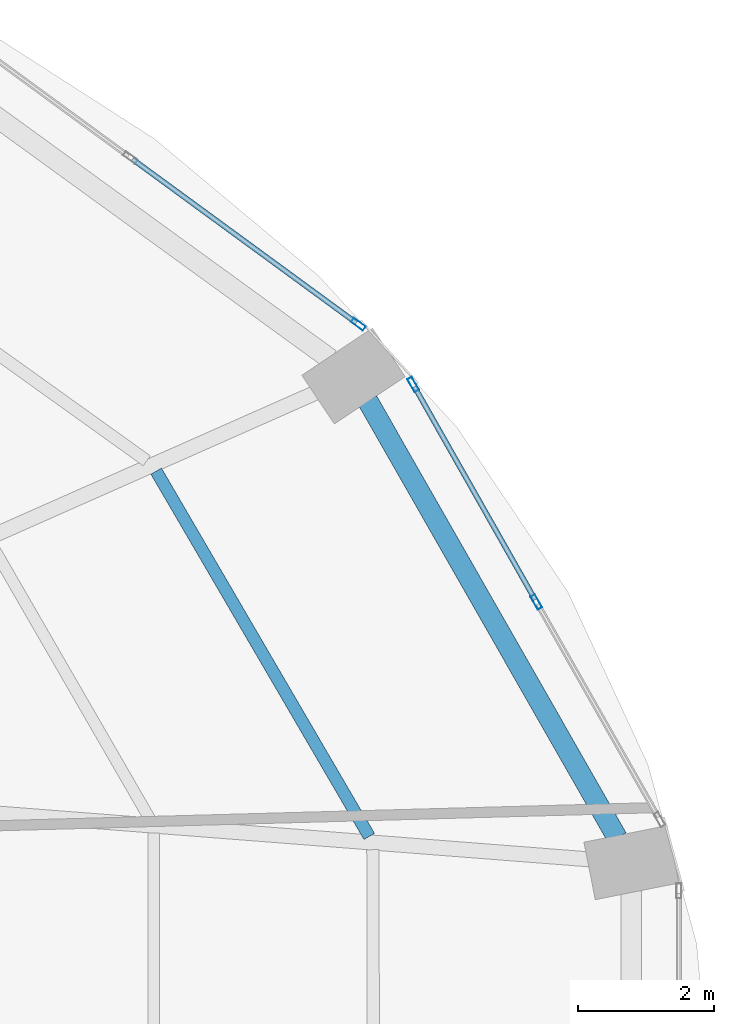
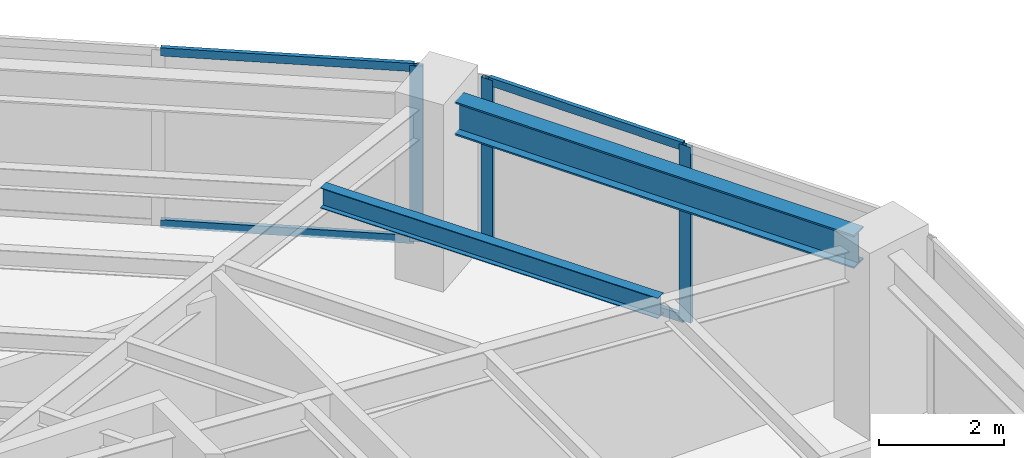
# One storey, part 18 of 24: 7 members, 2 beams, 2 elements without a shape of their own.
"""IFC4 building model written with IfcOpenShell, lengths in metres."""

from ifc_helpers import new_model, si_unit, direction, frame, origin, origin_2d, place, context, subcontext, project, spatial, hollow_rectangle, i_section, extrude, material, layer, layer_set, material_profile, profile_set, type_object, element, aggregate, save


model = new_model("IFC4")

# Units and contexts
model_context = context("Model", 3, precision=1e-05, world=origin(), true_north=direction((0.0, 1.0)))
body_context = subcontext(model_context, "Body", "Model", "MODEL_VIEW")
ifc_project = project(units=[si_unit("LENGTHUNIT", "METRE"), si_unit("AREAUNIT", "SQUARE_METRE"), si_unit("VOLUMEUNIT", "CUBIC_METRE"), si_unit("PLANEANGLEUNIT", "RADIAN"), si_unit("MASSUNIT", "GRAM", prefix="KILO")], contexts=[model_context])

# Site, building, storey
site_placement = place(None, origin())
site = spatial("IfcSite", under=ifc_project, at=site_placement, CompositionType="ELEMENT")
building_placement = place(site_placement, origin())
building = spatial("IfcBuilding", under=site, at=building_placement, Name="Lazwardi Medical Tower", CompositionType="ELEMENT")
storey_placement = place(building_placement, frame((0.0, 0.0, 68.97607421875)))
storey = spatial("IfcBuildingStorey", under=building, at=storey_placement, Name="L17", CompositionType="ELEMENT", Elevation=68.97607421875)

# Beams
ifc_material_1 = material(Name="Steel S355", Category="steel")
ifc_material_profile_1 = material_profile(ifc_material_1, i_section(OverallWidth=0.300048828125, OverallDepth=0.64990234375, WebThickness=0.01611328125, FlangeThickness=0.031005859375, at=origin_2d()), Name="HEB 650")
ifc_profile_set_1 = profile_set([ifc_material_profile_1], Name="Steel S355")
beam_type_1 = type_object("IfcBeamType", Name="BM-RB-Z1", PredefinedType="BEAM", material=ifc_profile_set_1)
beam_1_placement = place(storey_placement, frame((62.591796875, 34.63232421875, 3.10302734375), z_axis=(-0.49581512241, 0.868428099724, 0.0), x_axis=(-0.868428099724, -0.49581512241, 0.0)))
element("IfcBeam", 1, at=beam_1_placement, inside=storey, type_object=beam_type_1, Name="Ring beam RB-02 B05 L17", PredefinedType="BEAM", context=body_context, shape_type="SweptSolid", body=[
    extrude(i_section(OverallWidth=0.300048828125, OverallDepth=0.64990234375, WebThickness=0.01611328125, FlangeThickness=0.031005859375, at=origin_2d()), origin(), (0.0, 0.0, 1.0), 7.389404296875),
])
ifc_material_profile_2 = material_profile(ifc_material_1, i_section(OverallWidth=0.179931640625, OverallDepth=0.39990234375, WebThickness=0.008544921875, FlangeThickness=0.013427734375, at=origin_2d()), Name="IPE 400")
ifc_profile_set_2 = profile_set([ifc_material_profile_2], Name="Steel S355")
beam_type_2 = type_object("IfcBeamType", Name="BM-SJ-01", PredefinedType="JOIST", material=ifc_profile_set_2)
beam_2_placement = place(storey_placement, frame((58.951171875, 34.65234375, 3.22802734375), z_axis=(-0.503846579557, 0.863793160582, 0.0), x_axis=(-0.863793160582, -0.503846579557, 0.0)))
element("IfcBeam", 2, at=beam_2_placement, inside=storey, type_object=beam_type_2, Name="Secondary joist SJ-01 R1 B05 L17", PredefinedType="JOIST", context=body_context, shape_type="SweptSolid", body=[
    extrude(i_section(OverallWidth=0.179931640625, OverallDepth=0.39990234375, WebThickness=0.008544921875, FlangeThickness=0.013427734375, at=origin_2d()), origin(), (0.0, 0.0, 1.0), 6.20947265625),
])

# Curtain wall, members
ifc_material_2 = material(Name="Anodised bronze aluminium and solar control glazing", Category="aluminium")
ifc_layer = layer(ifc_material_2, 0.199951171875)
ifc_layer_set = layer_set([ifc_layer], Name="Anodised bronze aluminium and solar control glazing")
curtain_wall_type = type_object("IfcCurtainWallType", Name="CW-SYS-02", PredefinedType="NOTDEFINED", material=ifc_layer_set)
curtain_wall_1_placement = place(storey_placement, origin())
curtain_wall_1 = element("IfcCurtainWall", 3, at=curtain_wall_1_placement, inside=storey, type_object=curtain_wall_type, Name="L17 Unitised bronze curtain wall CW-02", PredefinedType="NOTDEFINED")
ifc_material_3 = material(Name="Anodised bronze aluminium", Category="aluminium")
ifc_material_profile_3 = material_profile(ifc_material_3, hollow_rectangle(XDim=0.074951171875, YDim=0.219970703125, WallThickness=0.00390625, at=origin_2d()), Name="ALU-MULLION 220x75x4")
ifc_profile_set_3 = profile_set([ifc_material_profile_3], Name="Anodised bronze aluminium")
member_type_1 = type_object("IfcMemberType", Name="CW-MUL-01", PredefinedType="MULLION", material=ifc_profile_set_3)
member_1_placement = place(storey_placement, frame((61.4052734375, 38.095458984375, 0.0), z_axis=(0.0, 0.0, 1.0), x_axis=(-0.870111838823, -0.492854327303, 0.0)))
member_1 = element("IfcMember", 4, at=member_1_placement, type_object=member_type_1, Name="CW-02 mullion 2", PredefinedType="MULLION", context=body_context, shape_type="SweptSolid", body=[
    extrude(hollow_rectangle(XDim=0.074951171875, YDim=0.219970703125, WallThickness=0.00390625, at=origin_2d()), origin(), (0.0, 0.0, 1.0), 3.427978515625),
])
member_2_placement = place(storey_placement, frame((59.5966796875, 41.28857421875, 0.0), z_axis=(0.0, 0.0, 1.0), x_axis=(-0.870111838823, -0.492854327303, 0.0)))
member_2 = element("IfcMember", 5, at=member_2_placement, type_object=member_type_1, Name="CW-02 mullion 3", PredefinedType="MULLION", context=body_context, shape_type="SweptSolid", body=[
    extrude(hollow_rectangle(XDim=0.074951171875, YDim=0.219970703125, WallThickness=0.00390625, at=origin_2d()), origin(), (0.0, 0.0, 1.0), 3.427978515625),
])

# Curtain wall, member
curtain_wall_2_placement = place(storey_placement, origin())
curtain_wall_2 = element("IfcCurtainWall", 6, at=curtain_wall_2_placement, inside=storey, type_object=curtain_wall_type, Name="L17 Unitised bronze curtain wall CW-02", PredefinedType="NOTDEFINED")
member_3_placement = place(storey_placement, frame((58.790283203125, 42.172607421875, 0.0), z_axis=(0.0, 0.0, 1.0), x_axis=(-0.590289307341, -0.807191757663, 0.0)))
member_3 = element("IfcMember", 7, at=member_3_placement, type_object=member_type_1, Name="CW-02 mullion 1", PredefinedType="MULLION", context=body_context, shape_type="SweptSolid", body=[
    extrude(hollow_rectangle(XDim=0.074951171875, YDim=0.219970703125, WallThickness=0.00390625, at=origin_2d()), origin(), (0.0, 0.0, 1.0), 3.427978515625),
])

# Member
ifc_material_profile_4 = material_profile(ifc_material_3, hollow_rectangle(XDim=0.074951171875, YDim=0.159912109375, WallThickness=0.00390625, at=origin_2d()), Name="ALU-TRANSOM 160x75x4")
ifc_profile_set_4 = profile_set([ifc_material_profile_4], Name="Anodised bronze aluminium")
member_type_2 = type_object("IfcMemberType", Name="CW-TRN-01", PredefinedType="USERDEFINED", material=ifc_profile_set_4)
member_4_placement = place(storey_placement, frame((61.386962890625, 38.128173828125, 0.037353515625), z_axis=(-0.492880614687, 0.870096948429, 0.0), x_axis=(-0.870096948429, -0.492880614687, 0.0)))
member_4 = element("IfcMember", 8, at=member_4_placement, type_object=member_type_2, Name="CW-02 transom 2.1", ObjectType="TRANSOM", PredefinedType="USERDEFINED", context=body_context, shape_type="SweptSolid", body=[
    extrude(hollow_rectangle(XDim=0.074951171875, YDim=0.159912109375, WallThickness=0.00390625, at=origin_2d()), origin(), (0.0, 0.0, 1.0), 3.5947265625),
])

member_5_placement = place(storey_placement, frame((61.386962890625, 38.128173828125, 3.390380859375), z_axis=(-0.492880614687, 0.870096948429, 0.0), x_axis=(-0.870096948429, -0.492880614687, 0.0)))
member_5 = element("IfcMember", 9, at=member_5_placement, type_object=member_type_2, Name="CW-02 transom 2.2", ObjectType="TRANSOM", PredefinedType="USERDEFINED", context=body_context, shape_type="SweptSolid", body=[
    extrude(hollow_rectangle(XDim=0.074951171875, YDim=0.159912109375, WallThickness=0.00390625, at=origin_2d()), origin(), (0.0, 0.0, 1.0), 3.5947265625),
])

aggregate(curtain_wall_1, [member_1, member_2, member_4, member_5])

member_6_placement = place(storey_placement, frame((58.760009765625, 42.194580078125, 0.037353515625), z_axis=(-0.807189956199, 0.590291770748, 0.0), x_axis=(-0.590291770748, -0.807189956199, 0.0)))
member_6 = element("IfcMember", 10, at=member_6_placement, type_object=member_type_2, Name="CW-02 transom 1.1", ObjectType="TRANSOM", PredefinedType="USERDEFINED", context=body_context, shape_type="SweptSolid", body=[
    extrude(hollow_rectangle(XDim=0.074951171875, YDim=0.159912109375, WallThickness=0.00390625, at=origin_2d()), origin(), (0.0, 0.0, 1.0), 4.070068359375),
])

member_7_placement = place(storey_placement, frame((58.760009765625, 42.194580078125, 3.390380859375), z_axis=(-0.807189956199, 0.590291770748, 0.0), x_axis=(-0.590291770748, -0.807189956199, 0.0)))
member_7 = element("IfcMember", 11, at=member_7_placement, type_object=member_type_2, Name="CW-02 transom 1.2", ObjectType="TRANSOM", PredefinedType="USERDEFINED", context=body_context, shape_type="SweptSolid", body=[
    extrude(hollow_rectangle(XDim=0.074951171875, YDim=0.159912109375, WallThickness=0.00390625, at=origin_2d()), origin(), (0.0, 0.0, 1.0), 4.070068359375),
])

aggregate(curtain_wall_2, [member_3, member_6, member_7])

save(model, "model.ifc")
